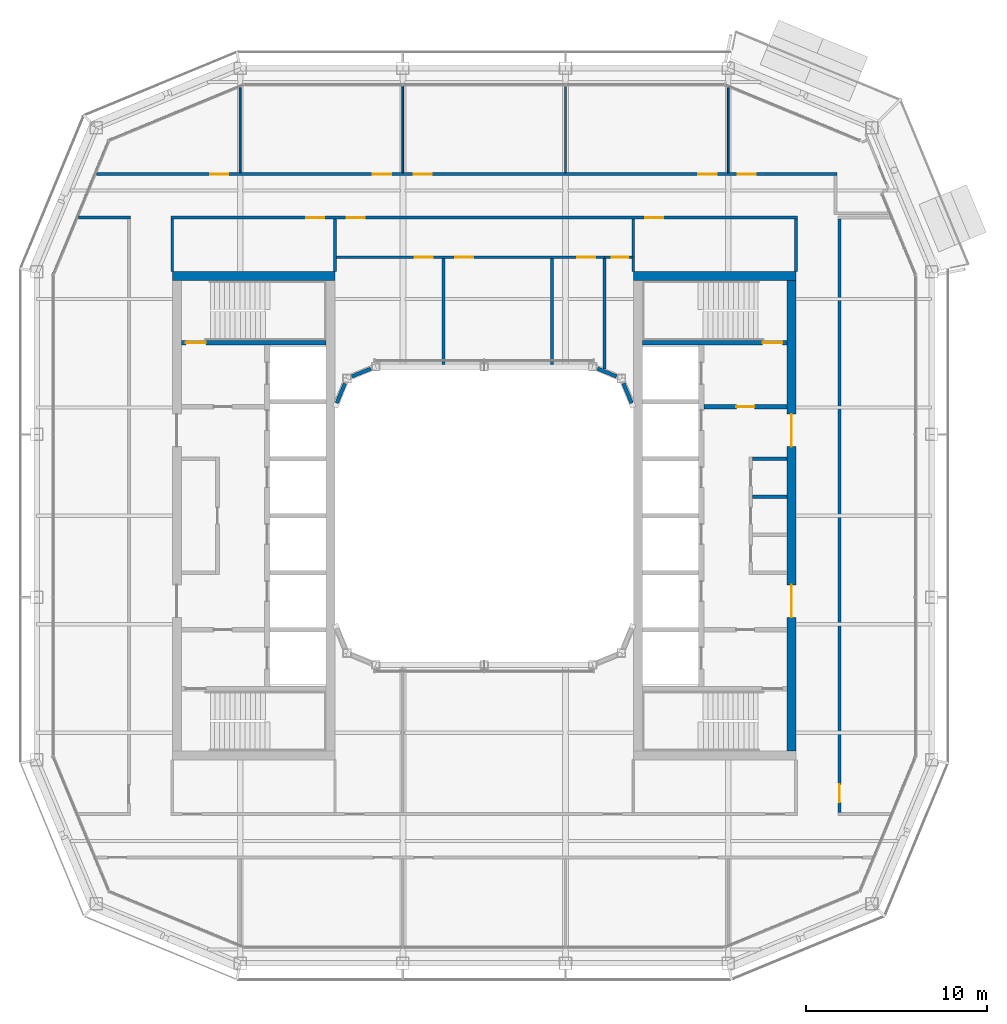
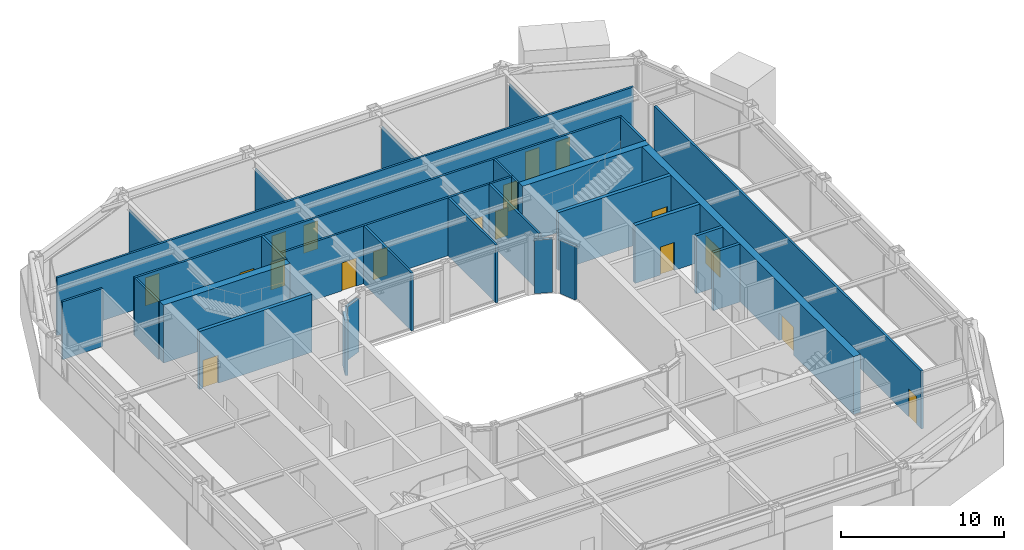
# One storey, part 13 of 21: 30 walls, 18 doors, 18 openings.
"""IFC4 building model written with IfcOpenShell, lengths in metres."""

from ifc_helpers import new_model, si_unit, direction, frame, frame_2d, origin, place, context, subcontext, project, spatial, rectangle, extrude, material, layer, layer_set, type_object, element, fill, save


model = new_model("IFC4")

# Units and contexts
model_context = context("Model", 3, precision=1e-05, world=origin(), true_north=direction((0.0, 1.0)))
body_context = subcontext(model_context, "Body", "Model", "MODEL_VIEW")
ifc_project = project(units=[si_unit("LENGTHUNIT", "METRE"), si_unit("AREAUNIT", "SQUARE_METRE"), si_unit("VOLUMEUNIT", "CUBIC_METRE"), si_unit("PLANEANGLEUNIT", "RADIAN"), si_unit("MASSUNIT", "GRAM", prefix="KILO")], contexts=[model_context])

# Site, building, storey
site_placement = place(None, origin())
site = spatial("IfcSite", under=ifc_project, at=site_placement, CompositionType="ELEMENT")
building_placement = place(site_placement, origin())
building = spatial("IfcBuilding", under=site, at=building_placement, Name="Siwar Civic Tower", CompositionType="ELEMENT")
storey_placement = place(building_placement, frame((0.0, 0.0, 325.699951171875)))
storey = spatial("IfcBuildingStorey", under=building, at=storey_placement, Name="L70", CompositionType="ELEMENT", Elevation=325.699951171875)

# Wall, opening, door
ifc_material_1 = material(Name="Gypsum board on steel studs", Category="steel")
ifc_layer_1 = layer(ifc_material_1, 0.14990234375)
ifc_layer_set_1 = layer_set([ifc_layer_1], Name="Gypsum board on steel studs")
wall_type_1 = type_object("IfcWallType", Name="COMPARTMENT PARTITION 150 EI 60", PredefinedType="PARTITIONING", material=ifc_layer_set_1)
wall_1_placement = place(storey_placement, frame((6.659912109375, 14.300048828125, 0.0), z_axis=(0.0, 0.0, 1.0), x_axis=(1.0, 0.0, 0.0)))
wall_1 = element("IfcWall", 1, at=wall_1_placement, inside=storey, type_object=wall_type_1, Name="L70/wall/P06", PredefinedType="PARTITIONING", context=body_context, shape_type="SweptSolid", body=[
    extrude(rectangle(XDim=1.51513671875, YDim=0.14990234375, at=frame_2d((0.757568359375, 0.0))), origin(), (0.0, 0.0, 1.0), 4.35009765625),
])
opening_1_placement = place(wall_1_placement, frame((0.39990234375, 0.0, 0.0)))
opening_1 = element("IfcOpeningElement", 2, at=opening_1_placement, cuts=wall_1, Name="Opening D4", PredefinedType="OPENING", context=body_context, shape_type="SweptSolid", body=[
    extrude(rectangle(XDim=0.89990234375, YDim=2.10009765625, at=frame_2d((0.449951171875, 1.050048828125))), frame((0.0, 0.0849609375, 0.0), z_axis=(0.0, -1.0, 0.0), x_axis=(1.0, 0.0, 0.0)), (0.0, 0.0, 1.0), 0.169921875),
])
ifc_material_2 = material(Name="Timber, painted", Category="wood")
door_type_1 = type_object("IfcDoorType", Name="DOOR 900 X 2100 FD60", OperationType="SINGLE_SWING_LEFT", PredefinedType="DOOR", material=ifc_material_2)
door_1_placement = place(opening_1_placement, origin())
door_1 = element("IfcDoor", 3, at=door_1_placement, inside=storey, type_object=door_type_1, Name="L70-D15", OperationType="SINGLE_SWING_LEFT", OverallHeight=2.10009765625, OverallWidth=0.89990234375, PredefinedType="DOOR", context=body_context, shape_type="SweptSolid", body=[
    extrude(rectangle(XDim=0.89990234375, YDim=2.10009765625, at=frame_2d((0.449951171875, 1.050048828125))), frame((0.0, 0.02490234375, 0.0), z_axis=(0.0, -1.0, 0.0), x_axis=(1.0, 0.0, 0.0)), (0.0, 0.0, 1.0), 0.050048828125),
])
fill(opening_1, door_1)

# Walls
wall_2_placement = place(storey_placement, frame((6.659912109375, 8.126953125, 0.0), z_axis=(0.0, 0.0, 1.0), x_axis=(0.0, 1.0, 0.0)))
element("IfcWall", 4, at=wall_2_placement, inside=storey, type_object=wall_type_1, Name="L70/wall/P26", PredefinedType="PARTITIONING", context=body_context, shape_type="SweptSolid", body=[
    extrude(rectangle(XDim=6.09814453125, YDim=0.14990234375, at=frame_2d((3.049072265625, 0.0))), origin(), (0.0, 0.0, 1.0), 4.35009765625),
])
wall_3_placement = place(storey_placement, frame((8.25, 13.5, 0.0), z_axis=(0.0, 0.0, 1.0), x_axis=(0.0, 1.0, 0.0)))
element("IfcWall", 5, at=wall_3_placement, inside=storey, type_object=wall_type_1, Name="L70/wall/P29", PredefinedType="PARTITIONING", context=body_context, shape_type="SweptSolid", body=[
    extrude(rectangle(XDim=0.800048828125, YDim=0.14990234375, at=frame_2d((0.39990234375, 0.0))), origin(), (0.0, 0.0, 1.0), 4.35009765625),
])
ifc_material_3 = material(Name="Gypsum board on steel studs", Category="steel")
ifc_layer_2 = layer(ifc_material_3, 0.199951171875)
ifc_layer_set_2 = layer_set([ifc_layer_2], Name="Gypsum board on steel studs")
wall_type_2 = type_object("IfcWallType", Name="CORE-PARTITION-200", PredefinedType="PARTITIONING", material=ifc_layer_set_2)
for number, where, z_axis, x_axis, name in (
    (6, (14.85009765625, 3.14990234375, 0.0), (0.0, 0.0, 1.0), (1.0, 0.0, 0.0), "Core partition E"),
    (7, (14.85009765625, 1.050048828125, 0.0), (0.0, 0.0, 1.0), (1.0, 0.0, 0.0), "Core partition E"),
):
    element("IfcWall", number, at=place(storey_placement, frame(where, z_axis=z_axis, x_axis=x_axis)), inside=storey, type_object=wall_type_2, Name=name, PredefinedType="PARTITIONING", context=body_context, shape_type="SweptSolid", body=[
        extrude(rectangle(XDim=1.89990234375, YDim=0.199951171875, at=frame_2d((0.949951171875, 0.0))), origin(), (0.0, 0.0, 1.0), 4.35009765625),
    ])

# Wall, opening, door
ifc_material_4 = material(Name="Concrete C60/75", Category="concrete")
ifc_layer_3 = layer(ifc_material_4, 0.25)
ifc_layer_set_3 = layer_set([ifc_layer_3], Name="Concrete C60/75")
wall_type_3 = type_object("IfcWallType", Name="CORE-WALL-RC250", PredefinedType="SHEAR", material=ifc_layer_set_3)
wall_4_placement = place(storey_placement, frame((-8.75, 9.574951171875, 0.0), z_axis=(0.0, 0.0, 1.0), x_axis=(-1.0, 0.0, 0.0)))
wall_4 = element("IfcWall", 8, at=wall_4_placement, inside=storey, type_object=wall_type_3, Name="Core wall W", PredefinedType="SHEAR", context=body_context, shape_type="SweptSolid", body=[
    extrude(rectangle(XDim=8.0, YDim=0.25, at=frame_2d((4.0, 0.0))), origin(), (0.0, 0.0, 1.0), 4.35009765625),
])
opening_2_placement = place(wall_4_placement, frame((6.64990234375, 0.0, 0.0)))
opening_2 = element("IfcOpeningElement", 9, at=opening_2_placement, cuts=wall_4, Name="Opening L70-CW03", PredefinedType="OPENING", context=body_context, shape_type="SweptSolid", body=[
    extrude(rectangle(XDim=1.10009765625, YDim=2.10009765625, at=frame_2d((0.550048828125, 1.050048828125))), frame((0.0, 0.135009765625, 0.0), z_axis=(0.0, -1.0, 0.0), x_axis=(1.0, 0.0, 0.0)), (0.0, 0.0, 1.0), 0.27001953125),
])
ifc_material_5 = material(Name="Steel door leaf", Category="steel")
door_type_2 = type_object("IfcDoorType", Name="CORE-DOOR-FD60S", OperationType="SINGLE_SWING_LEFT", PredefinedType="DOOR", material=ifc_material_5)
door_2_placement = place(opening_2_placement, origin())
door_2 = element("IfcDoor", 10, at=door_2_placement, inside=storey, type_object=door_type_2, Name="Stair door L70-CW03", OperationType="SINGLE_SWING_RIGHT", OverallHeight=2.10009765625, OverallWidth=1.10009765625, PredefinedType="DOOR", context=body_context, shape_type="SweptSolid", body=[
    extrude(rectangle(XDim=1.10009765625, YDim=2.10009765625, at=frame_2d((0.550048828125, 1.050048828125))), frame((0.0, 0.02490234375, 0.0), z_axis=(0.0, -1.0, 0.0), x_axis=(1.0, 0.0, 0.0)), (0.0, 0.0, 1.0), 0.050048828125),
])
fill(opening_2, door_2)

wall_5_placement = place(storey_placement, frame((12.14990234375, 6.02490234375, 0.0), z_axis=(0.0, 0.0, 1.0), x_axis=(1.0, 0.0, 0.0)))
wall_5 = element("IfcWall", 11, at=wall_5_placement, inside=storey, type_object=wall_type_3, Name="Core wall E", PredefinedType="SHEAR", context=body_context, shape_type="SweptSolid", body=[
    extrude(rectangle(XDim=4.60009765625, YDim=0.25, at=frame_2d((2.300048828125, 0.0))), origin(), (0.0, 0.0, 1.0), 4.35009765625),
])
opening_3_placement = place(wall_5_placement, frame((1.800048828125, 0.0, 0.0)))
opening_3 = element("IfcOpeningElement", 12, at=opening_3_placement, cuts=wall_5, Name="Opening L70-CE01", PredefinedType="OPENING", context=body_context, shape_type="SweptSolid", body=[
    extrude(rectangle(XDim=1.0, YDim=2.10009765625, at=frame_2d((0.5, 1.050048828125))), frame((0.0, 0.135009765625, 0.0), z_axis=(0.0, -1.0, 0.0), x_axis=(1.0, 0.0, 0.0)), (0.0, 0.0, 1.0), 0.27001953125),
])
ifc_material_6 = material(Name="Steel door leaf", Category="steel")
door_type_3 = type_object("IfcDoorType", Name="CORE-DOOR-FD30S", OperationType="SINGLE_SWING_LEFT", PredefinedType="DOOR", material=ifc_material_6)
door_3_placement = place(opening_3_placement, origin())
door_3 = element("IfcDoor", 13, at=door_3_placement, inside=storey, type_object=door_type_3, Name="Firefighting lobby door L70-CE01", OperationType="SINGLE_SWING_RIGHT", OverallHeight=2.10009765625, OverallWidth=1.0, PredefinedType="DOOR", context=body_context, shape_type="SweptSolid", body=[
    extrude(rectangle(XDim=1.0, YDim=2.10009765625, at=frame_2d((0.5, 1.050048828125))), frame((0.0, 0.02490234375, 0.0), z_axis=(0.0, -1.0, 0.0), x_axis=(1.0, 0.0, 0.0)), (0.0, 0.0, 1.0), 0.050048828125),
])
fill(opening_3, door_3)

wall_6_placement = place(storey_placement, frame((8.75, 9.574951171875, 0.0), z_axis=(0.0, 0.0, 1.0), x_axis=(1.0, 0.0, 0.0)))
wall_6 = element("IfcWall", 14, at=wall_6_placement, inside=storey, type_object=wall_type_3, Name="Core wall E", PredefinedType="SHEAR", context=body_context, shape_type="SweptSolid", body=[
    extrude(rectangle(XDim=8.0, YDim=0.25, at=frame_2d((4.0, 0.0))), origin(), (0.0, 0.0, 1.0), 4.35009765625),
])
opening_4_placement = place(wall_6_placement, frame((6.64990234375, 0.0, 0.0)))
opening_4 = element("IfcOpeningElement", 15, at=opening_4_placement, cuts=wall_6, Name="Opening L70-CE03", PredefinedType="OPENING", context=body_context, shape_type="SweptSolid", body=[
    extrude(rectangle(XDim=1.10009765625, YDim=2.10009765625, at=frame_2d((0.550048828125, 1.050048828125))), frame((0.0, 0.135009765625, 0.0), z_axis=(0.0, -1.0, 0.0), x_axis=(1.0, 0.0, 0.0)), (0.0, 0.0, 1.0), 0.27001953125),
])
door_4_placement = place(opening_4_placement, origin())
door_4 = element("IfcDoor", 16, at=door_4_placement, inside=storey, type_object=door_type_2, Name="Stair door L70-CE03", OperationType="SINGLE_SWING_LEFT", OverallHeight=2.10009765625, OverallWidth=1.10009765625, PredefinedType="DOOR", context=body_context, shape_type="SweptSolid", body=[
    extrude(rectangle(XDim=1.10009765625, YDim=2.10009765625, at=frame_2d((0.550048828125, 1.050048828125))), frame((0.0, 0.02490234375, 0.0), z_axis=(0.0, -1.0, 0.0), x_axis=(1.0, 0.0, 0.0)), (0.0, 0.0, 1.0), 0.050048828125),
])
fill(opening_4, door_4)

# Wall
ifc_material_7 = material(Name="Concrete C60/75", Category="concrete")
ifc_layer_4 = layer(ifc_material_7, 0.5)
ifc_layer_set_4 = layer_set([ifc_layer_4], Name="Concrete C60/75")
wall_type_4 = type_object("IfcWallType", Name="CORE-WALL-RC500", PredefinedType="SHEAR", material=ifc_layer_set_4)
wall_7_placement = place(storey_placement, frame((-8.25, 13.25, 0.0), z_axis=(0.0, 0.0, 1.0), x_axis=(-1.0, 0.0, 0.0)))
element("IfcWall", 17, at=wall_7_placement, inside=storey, type_object=wall_type_4, Name="Core wall W", PredefinedType="SHEAR", context=body_context, shape_type="SweptSolid", body=[
    extrude(rectangle(XDim=9.0, YDim=0.5, at=frame_2d((4.5, 0.0))), origin(), (0.0, 0.0, 1.0), 4.35009765625),
])

# Wall, openings, doors
wall_8_placement = place(storey_placement, frame((17.0, -13.0, 0.0), z_axis=(0.0, 0.0, 1.0), x_axis=(0.0, 1.0, 0.0)))
wall_8 = element("IfcWall", 18, at=wall_8_placement, inside=storey, type_object=wall_type_4, Name="Core wall E", PredefinedType="SHEAR", context=body_context, shape_type="SweptSolid", body=[
    extrude(rectangle(XDim=26.0, YDim=0.5, at=frame_2d((13.0, 0.0))), origin(), (0.0, 0.0, 1.0), 4.35009765625),
])
opening_5_placement = place(wall_8_placement, frame((16.824951171875, 0.0, 0.0)))
opening_5 = element("IfcOpeningElement", 19, at=opening_5_placement, cuts=wall_8, Name="Opening L70-CE05", PredefinedType="OPENING", context=body_context, shape_type="SweptSolid", body=[
    extrude(rectangle(XDim=1.800048828125, YDim=2.10009765625, at=frame_2d((0.89990234375, 1.050048828125))), frame((0.0, 0.260009765625, 0.0), z_axis=(0.0, -1.0, 0.0), x_axis=(1.0, 0.0, 0.0)), (0.0, 0.0, 1.0), 0.52001953125),
])
opening_6_placement = place(wall_8_placement, frame((7.375, 0.0, 0.0)))
opening_6 = element("IfcOpeningElement", 20, at=opening_6_placement, cuts=wall_8, Name="Opening L70-CE06", PredefinedType="OPENING", context=body_context, shape_type="SweptSolid", body=[
    extrude(rectangle(XDim=1.800048828125, YDim=2.10009765625, at=frame_2d((0.89990234375, 1.050048828125))), frame((0.0, 0.260009765625, 0.0), z_axis=(0.0, -1.0, 0.0), x_axis=(1.0, 0.0, 0.0)), (0.0, 0.0, 1.0), 0.52001953125),
])
ifc_material_8 = material(Name="Steel door leaf", Category="steel")
door_type_4 = type_object("IfcDoorType", Name="CORE-DOOR-PORT", OperationType="DOUBLE_DOOR_DOUBLE_SWING", PredefinedType="DOOR", material=ifc_material_8)
door_5_placement = place(opening_5_placement, origin())
door_5 = element("IfcDoor", 21, at=door_5_placement, inside=storey, type_object=door_type_4, Name="Core entrance door L70-CE05", OperationType="DOUBLE_DOOR_DOUBLE_SWING", OverallHeight=2.10009765625, OverallWidth=1.800048828125, PredefinedType="DOOR", context=body_context, shape_type="SweptSolid", body=[
    extrude(rectangle(XDim=1.800048828125, YDim=2.10009765625, at=frame_2d((0.89990234375, 1.050048828125))), frame((0.0, 0.02490234375, 0.0), z_axis=(0.0, -1.0, 0.0), x_axis=(1.0, 0.0, 0.0)), (0.0, 0.0, 1.0), 0.050048828125),
])
fill(opening_5, door_5)
door_6_placement = place(opening_6_placement, origin())
door_6 = element("IfcDoor", 22, at=door_6_placement, inside=storey, type_object=door_type_4, Name="Core entrance door L70-CE06", OperationType="DOUBLE_DOOR_DOUBLE_SWING", OverallHeight=2.10009765625, OverallWidth=1.800048828125, PredefinedType="DOOR", context=body_context, shape_type="SweptSolid", body=[
    extrude(rectangle(XDim=1.800048828125, YDim=2.10009765625, at=frame_2d((0.89990234375, 1.050048828125))), frame((0.0, 0.02490234375, 0.0), z_axis=(0.0, -1.0, 0.0), x_axis=(1.0, 0.0, 0.0)), (0.0, 0.0, 1.0), 0.050048828125),
])
fill(opening_6, door_6)

# Wall
wall_9_placement = place(storey_placement, frame((8.25, 13.25, 0.0), z_axis=(0.0, 0.0, 1.0), x_axis=(1.0, 0.0, 0.0)))
element("IfcWall", 23, at=wall_9_placement, inside=storey, type_object=wall_type_4, Name="Core wall E", PredefinedType="SHEAR", context=body_context, shape_type="SweptSolid", body=[
    extrude(rectangle(XDim=9.0, YDim=0.5, at=frame_2d((4.5, 0.0))), origin(), (0.0, 0.0, 1.0), 4.35009765625),
])

# Wall, openings, doors
ifc_material_9 = material(Name="Gypsum board on steel studs", Category="steel")
ifc_layer_5 = layer(ifc_material_9, 0.14990234375)
ifc_layer_set_5 = layer_set([ifc_layer_5], Name="Gypsum board on steel studs")
wall_type_5 = type_object("IfcWallType", Name="CORRIDOR PARTITION 150 EI 30", PredefinedType="PARTITIONING", material=ifc_layer_set_5)
wall_10_placement = place(storey_placement, frame((-8.175048828125, 14.300048828125, 0.0), z_axis=(0.0, 0.0, 1.0), x_axis=(1.0, 0.0, 0.0)))
wall_10 = element("IfcWall", 24, at=wall_10_placement, inside=storey, type_object=wall_type_5, Name="L70/wall/P05", PredefinedType="PARTITIONING", context=body_context, shape_type="SweptSolid", body=[
    extrude(rectangle(XDim=14.8349609375, YDim=0.14990234375, at=frame_2d((7.41748046875, 0.0))), origin(), (0.0, 0.0, 1.0), 4.35009765625),
])
opening_7_placement = place(wall_10_placement, frame((4.324951171875, 0.0, 0.0)))
opening_7 = element("IfcOpeningElement", 25, at=opening_7_placement, cuts=wall_10, Name="Opening D3", PredefinedType="OPENING", context=body_context, shape_type="SweptSolid", body=[
    extrude(rectangle(XDim=1.0, YDim=2.10009765625, at=frame_2d((0.5, 1.050048828125))), frame((0.0, 0.0849609375, 0.0), z_axis=(0.0, -1.0, 0.0), x_axis=(1.0, 0.0, 0.0)), (0.0, 0.0, 1.0), 0.169921875),
])
opening_8_placement = place(wall_10_placement, frame((6.574951171875, 0.0, 0.0)))
opening_8 = element("IfcOpeningElement", 26, at=opening_8_placement, cuts=wall_10, Name="Opening D3", PredefinedType="OPENING", context=body_context, shape_type="SweptSolid", body=[
    extrude(rectangle(XDim=1.0, YDim=2.10009765625, at=frame_2d((0.5, 1.050048828125))), frame((0.0, 0.0849609375, 0.0), z_axis=(0.0, -1.0, 0.0), x_axis=(1.0, 0.0, 0.0)), (0.0, 0.0, 1.0), 0.169921875),
])
opening_9_placement = place(wall_10_placement, frame((13.324951171875, 0.0, 0.0)))
opening_9 = element("IfcOpeningElement", 27, at=opening_9_placement, cuts=wall_10, Name="Opening D3", PredefinedType="OPENING", context=body_context, shape_type="SweptSolid", body=[
    extrude(rectangle(XDim=1.0, YDim=2.10009765625, at=frame_2d((0.5, 1.050048828125))), frame((0.0, 0.0849609375, 0.0), z_axis=(0.0, -1.0, 0.0), x_axis=(1.0, 0.0, 0.0)), (0.0, 0.0, 1.0), 0.169921875),
])
ifc_material_10 = material(Name="Timber, painted", Category="wood")
door_type_5 = type_object("IfcDoorType", Name="DOOR 1000 X 2100 WC", OperationType="SINGLE_SWING_LEFT", PredefinedType="DOOR", material=ifc_material_10)
door_7_placement = place(opening_7_placement, origin())
door_7 = element("IfcDoor", 28, at=door_7_placement, inside=storey, type_object=door_type_5, Name="L70-D12", OperationType="SINGLE_SWING_RIGHT", OverallHeight=2.10009765625, OverallWidth=1.0, PredefinedType="DOOR", context=body_context, shape_type="SweptSolid", body=[
    extrude(rectangle(XDim=1.0, YDim=2.10009765625, at=frame_2d((0.5, 1.050048828125))), frame((0.0, 0.02490234375, 0.0), z_axis=(0.0, -1.0, 0.0), x_axis=(1.0, 0.0, 0.0)), (0.0, 0.0, 1.0), 0.050048828125),
])
fill(opening_7, door_7)
door_8_placement = place(opening_8_placement, origin())
door_8 = element("IfcDoor", 29, at=door_8_placement, inside=storey, type_object=door_type_5, Name="L70-D13", OperationType="SINGLE_SWING_LEFT", OverallHeight=2.10009765625, OverallWidth=1.0, PredefinedType="DOOR", context=body_context, shape_type="SweptSolid", body=[
    extrude(rectangle(XDim=1.0, YDim=2.10009765625, at=frame_2d((0.5, 1.050048828125))), frame((0.0, 0.02490234375, 0.0), z_axis=(0.0, -1.0, 0.0), x_axis=(1.0, 0.0, 0.0)), (0.0, 0.0, 1.0), 0.050048828125),
])
fill(opening_8, door_8)
door_9_placement = place(opening_9_placement, origin())
door_9 = element("IfcDoor", 30, at=door_9_placement, inside=storey, type_object=door_type_5, Name="L70-D14", OperationType="SINGLE_SWING_RIGHT", OverallHeight=2.10009765625, OverallWidth=1.0, PredefinedType="DOOR", context=body_context, shape_type="SweptSolid", body=[
    extrude(rectangle(XDim=1.0, YDim=2.10009765625, at=frame_2d((0.5, 1.050048828125))), frame((0.0, 0.02490234375, 0.0), z_axis=(0.0, -1.0, 0.0), x_axis=(1.0, 0.0, 0.0)), (0.0, 0.0, 1.0), 0.050048828125),
])
fill(opening_9, door_9)

# Wall
wall_11_placement = place(storey_placement, frame((-22.43603515625, 16.4951171875, 0.0), z_axis=(0.0, 0.0, 1.0), x_axis=(1.0, 0.0, 0.0)))
element("IfcWall", 31, at=wall_11_placement, inside=storey, type_object=wall_type_5, Name="L70/wall/P07", PredefinedType="PARTITIONING", context=body_context, shape_type="SweptSolid", body=[
    extrude(rectangle(XDim=2.861083984375, YDim=0.14990234375, at=frame_2d((1.4306640625, 0.0))), origin(), (0.0, 0.0, 1.0), 4.35009765625),
])

# Wall, openings, doors
wall_12_placement = place(storey_placement, frame((-17.324951171875, 16.4951171875, 0.0), z_axis=(0.0, 0.0, 1.0), x_axis=(1.0, 0.0, 0.0)))
wall_12 = element("IfcWall", 32, at=wall_12_placement, inside=storey, type_object=wall_type_5, Name="L70/wall/P08", PredefinedType="PARTITIONING", context=body_context, shape_type="SweptSolid", body=[
    extrude(rectangle(XDim=34.64990234375, YDim=0.14990234375, at=frame_2d((17.324951171875, 0.0))), origin(), (0.0, 0.0, 1.0), 4.35009765625),
])
opening_10_placement = place(wall_12_placement, frame((9.72509765625, 0.0, 0.0)))
opening_10 = element("IfcOpeningElement", 33, at=opening_10_placement, cuts=wall_12, Name="Opening D1", PredefinedType="OPENING", context=body_context, shape_type="SweptSolid", body=[
    extrude(rectangle(XDim=1.0, YDim=2.10009765625, at=frame_2d((0.5, 1.050048828125))), frame((0.0, 0.0849609375, 0.0), z_axis=(0.0, -1.0, 0.0), x_axis=(1.0, 0.0, 0.0)), (0.0, 0.0, 1.0), 0.169921875),
])
opening_11_placement = place(wall_12_placement, frame((7.47509765625, 0.0, 0.0)))
opening_11 = element("IfcOpeningElement", 34, at=opening_11_placement, cuts=wall_12, Name="Opening D1", PredefinedType="OPENING", context=body_context, shape_type="SweptSolid", body=[
    extrude(rectangle(XDim=1.0, YDim=2.10009765625, at=frame_2d((0.5, 1.050048828125))), frame((0.0, 0.0849609375, 0.0), z_axis=(0.0, -1.0, 0.0), x_axis=(1.0, 0.0, 0.0)), (0.0, 0.0, 1.0), 0.169921875),
])
opening_12_placement = place(wall_12_placement, frame((26.22509765625, 0.0, 0.0)))
opening_12 = element("IfcOpeningElement", 35, at=opening_12_placement, cuts=wall_12, Name="Opening D1", PredefinedType="OPENING", context=body_context, shape_type="SweptSolid", body=[
    extrude(rectangle(XDim=1.0, YDim=2.10009765625, at=frame_2d((0.5, 1.050048828125))), frame((0.0, 0.0849609375, 0.0), z_axis=(0.0, -1.0, 0.0), x_axis=(1.0, 0.0, 0.0)), (0.0, 0.0, 1.0), 0.169921875),
])
ifc_material_11 = material(Name="Timber, painted", Category="wood")
door_type_6 = type_object("IfcDoorType", Name="DOOR 1000 X 2100 FD30", OperationType="SINGLE_SWING_LEFT", PredefinedType="DOOR", material=ifc_material_11)
door_10_placement = place(opening_10_placement, origin())
door_10 = element("IfcDoor", 36, at=door_10_placement, inside=storey, type_object=door_type_6, Name="L70-D11", OperationType="SINGLE_SWING_LEFT", OverallHeight=2.10009765625, OverallWidth=1.0, PredefinedType="DOOR", context=body_context, shape_type="SweptSolid", body=[
    extrude(rectangle(XDim=1.0, YDim=2.10009765625, at=frame_2d((0.5, 1.050048828125))), frame((0.0, 0.02490234375, 0.0), z_axis=(0.0, -1.0, 0.0), x_axis=(1.0, 0.0, 0.0)), (0.0, 0.0, 1.0), 0.050048828125),
])
fill(opening_10, door_10)
door_11_placement = place(opening_11_placement, origin())
door_11 = element("IfcDoor", 37, at=door_11_placement, inside=storey, type_object=door_type_6, Name="L70-D18", OperationType="SINGLE_SWING_RIGHT", OverallHeight=2.10009765625, OverallWidth=1.0, PredefinedType="DOOR", context=body_context, shape_type="SweptSolid", body=[
    extrude(rectangle(XDim=1.0, YDim=2.10009765625, at=frame_2d((0.5, 1.050048828125))), frame((0.0, 0.02490234375, 0.0), z_axis=(0.0, -1.0, 0.0), x_axis=(1.0, 0.0, 0.0)), (0.0, 0.0, 1.0), 0.050048828125),
])
fill(opening_11, door_11)
door_12_placement = place(opening_12_placement, origin())
door_12 = element("IfcDoor", 38, at=door_12_placement, inside=storey, type_object=door_type_6, Name="L70-D19", OperationType="SINGLE_SWING_LEFT", OverallHeight=2.10009765625, OverallWidth=1.0, PredefinedType="DOOR", context=body_context, shape_type="SweptSolid", body=[
    extrude(rectangle(XDim=1.0, YDim=2.10009765625, at=frame_2d((0.5, 1.050048828125))), frame((0.0, 0.02490234375, 0.0), z_axis=(0.0, -1.0, 0.0), x_axis=(1.0, 0.0, 0.0)), (0.0, 0.0, 1.0), 0.050048828125),
])
fill(opening_12, door_12)

wall_13_placement = place(storey_placement, frame((-21.44091796875, 18.89990234375, 0.0), z_axis=(0.0, 0.0, 1.0), x_axis=(1.0, 0.0, 0.0)))
wall_13 = element("IfcWall", 39, at=wall_13_placement, inside=storey, type_object=wall_type_5, Name="L70/wall/P11", PredefinedType="PARTITIONING", context=body_context, shape_type="SweptSolid", body=[
    extrude(rectangle(XDim=40.94384765625, YDim=0.14990234375, at=frame_2d((20.471923828125, 0.0))), origin(), (0.0, 0.0, 1.0), 4.35009765625),
])
opening_13_placement = place(wall_13_placement, frame((15.291015625, 0.0, 0.0)))
opening_13 = element("IfcOpeningElement", 40, at=opening_13_placement, cuts=wall_13, Name="Opening D1", PredefinedType="OPENING", context=body_context, shape_type="SweptSolid", body=[
    extrude(rectangle(XDim=1.0, YDim=2.10009765625, at=frame_2d((0.5, 1.050048828125))), frame((0.0, 0.0849609375, 0.0), z_axis=(0.0, -1.0, 0.0), x_axis=(1.0, 0.0, 0.0)), (0.0, 0.0, 1.0), 0.169921875),
])
opening_14_placement = place(wall_13_placement, frame((17.541015625, 0.0, 0.0)))
opening_14 = element("IfcOpeningElement", 41, at=opening_14_placement, cuts=wall_13, Name="Opening D1", PredefinedType="OPENING", context=body_context, shape_type="SweptSolid", body=[
    extrude(rectangle(XDim=1.0, YDim=2.10009765625, at=frame_2d((0.5, 1.050048828125))), frame((0.0, 0.0849609375, 0.0), z_axis=(0.0, -1.0, 0.0), x_axis=(1.0, 0.0, 0.0)), (0.0, 0.0, 1.0), 0.169921875),
])
opening_15_placement = place(wall_13_placement, frame((33.291015625, 0.0, 0.0)))
opening_15 = element("IfcOpeningElement", 42, at=opening_15_placement, cuts=wall_13, Name="Opening D1", PredefinedType="OPENING", context=body_context, shape_type="SweptSolid", body=[
    extrude(rectangle(XDim=1.0, YDim=2.10009765625, at=frame_2d((0.5, 1.050048828125))), frame((0.0, 0.0849609375, 0.0), z_axis=(0.0, -1.0, 0.0), x_axis=(1.0, 0.0, 0.0)), (0.0, 0.0, 1.0), 0.169921875),
])
opening_16_placement = place(wall_13_placement, frame((6.291015625, 0.0, 0.0)))
opening_16 = element("IfcOpeningElement", 43, at=opening_16_placement, cuts=wall_13, Name="Opening D1", PredefinedType="OPENING", context=body_context, shape_type="SweptSolid", body=[
    extrude(rectangle(XDim=1.0, YDim=2.10009765625, at=frame_2d((0.5, 1.050048828125))), frame((0.0, 0.0849609375, 0.0), z_axis=(0.0, -1.0, 0.0), x_axis=(1.0, 0.0, 0.0)), (0.0, 0.0, 1.0), 0.169921875),
])
opening_17_placement = place(wall_13_placement, frame((35.468994140625, 0.0, 0.0)))
opening_17 = element("IfcOpeningElement", 44, at=opening_17_placement, cuts=wall_13, Name="Opening D1", PredefinedType="OPENING", context=body_context, shape_type="SweptSolid", body=[
    extrude(rectangle(XDim=1.0, YDim=2.10009765625, at=frame_2d((0.5, 1.050048828125))), frame((0.0, 0.0849609375, 0.0), z_axis=(0.0, -1.0, 0.0), x_axis=(1.0, 0.0, 0.0)), (0.0, 0.0, 1.0), 0.169921875),
])
door_13_placement = place(opening_13_placement, origin())
door_13 = element("IfcDoor", 45, at=door_13_placement, inside=storey, type_object=door_type_6, Name="L70-D01", OperationType="SINGLE_SWING_LEFT", OverallHeight=2.10009765625, OverallWidth=1.0, PredefinedType="DOOR", context=body_context, shape_type="SweptSolid", body=[
    extrude(rectangle(XDim=1.0, YDim=2.10009765625, at=frame_2d((0.5, 1.050048828125))), frame((0.0, 0.02490234375, 0.0), z_axis=(0.0, -1.0, 0.0), x_axis=(1.0, 0.0, 0.0)), (0.0, 0.0, 1.0), 0.050048828125),
])
fill(opening_13, door_13)
door_14_placement = place(opening_14_placement, origin())
door_14 = element("IfcDoor", 46, at=door_14_placement, inside=storey, type_object=door_type_6, Name="L70-D02", OperationType="SINGLE_SWING_RIGHT", OverallHeight=2.10009765625, OverallWidth=1.0, PredefinedType="DOOR", context=body_context, shape_type="SweptSolid", body=[
    extrude(rectangle(XDim=1.0, YDim=2.10009765625, at=frame_2d((0.5, 1.050048828125))), frame((0.0, 0.02490234375, 0.0), z_axis=(0.0, -1.0, 0.0), x_axis=(1.0, 0.0, 0.0)), (0.0, 0.0, 1.0), 0.050048828125),
])
fill(opening_14, door_14)
door_15_placement = place(opening_15_placement, origin())
door_15 = element("IfcDoor", 47, at=door_15_placement, inside=storey, type_object=door_type_6, Name="L70-D03", OperationType="SINGLE_SWING_LEFT", OverallHeight=2.10009765625, OverallWidth=1.0, PredefinedType="DOOR", context=body_context, shape_type="SweptSolid", body=[
    extrude(rectangle(XDim=1.0, YDim=2.10009765625, at=frame_2d((0.5, 1.050048828125))), frame((0.0, 0.02490234375, 0.0), z_axis=(0.0, -1.0, 0.0), x_axis=(1.0, 0.0, 0.0)), (0.0, 0.0, 1.0), 0.050048828125),
])
fill(opening_15, door_15)
door_16_placement = place(opening_16_placement, origin())
door_16 = element("IfcDoor", 48, at=door_16_placement, inside=storey, type_object=door_type_6, Name="L70-D07", OperationType="SINGLE_SWING_LEFT", OverallHeight=2.10009765625, OverallWidth=1.0, PredefinedType="DOOR", context=body_context, shape_type="SweptSolid", body=[
    extrude(rectangle(XDim=1.0, YDim=2.10009765625, at=frame_2d((0.5, 1.050048828125))), frame((0.0, 0.02490234375, 0.0), z_axis=(0.0, -1.0, 0.0), x_axis=(1.0, 0.0, 0.0)), (0.0, 0.0, 1.0), 0.050048828125),
])
fill(opening_16, door_16)
door_17_placement = place(opening_17_placement, origin())
door_17 = element("IfcDoor", 49, at=door_17_placement, inside=storey, type_object=door_type_6, Name="L70-D08", OperationType="SINGLE_SWING_RIGHT", OverallHeight=2.10009765625, OverallWidth=1.0, PredefinedType="DOOR", context=body_context, shape_type="SweptSolid", body=[
    extrude(rectangle(XDim=1.0, YDim=2.10009765625, at=frame_2d((0.5, 1.050048828125))), frame((0.0, 0.02490234375, 0.0), z_axis=(0.0, -1.0, 0.0), x_axis=(1.0, 0.0, 0.0)), (0.0, 0.0, 1.0), 0.050048828125),
])
fill(opening_17, door_17)

# Walls
for number, where, z_axis, x_axis, name in (
    (50, (-17.25, 13.5, 0.0), (0.0, 0.0, 1.0), (0.0, 1.0, 0.0), "L70/wall/P14"),
    (51, (-8.25, 13.5, 0.0), (0.0, 0.0, 1.0), (0.0, 1.0, 0.0), "L70/wall/P18"),
):
    element("IfcWall", number, at=place(storey_placement, frame(where, z_axis=z_axis, x_axis=x_axis)), inside=storey, type_object=wall_type_5, Name=name, PredefinedType="PARTITIONING", context=body_context, shape_type="SweptSolid", body=[
        extrude(rectangle(XDim=2.919921875, YDim=0.14990234375, at=frame_2d((1.4599609375, 0.0))), origin(), (0.0, 0.0, 1.0), 4.35009765625),
    ])
for number, where, z_axis, x_axis, name in (
    (52, (-2.25, 8.3701171875, 0.0), (0.0, 0.0, 1.0), (0.0, 1.0, 0.0), "L70/wall/P22"),
    (53, (3.75, 8.3701171875, 0.0), (0.0, 0.0, 1.0), (0.0, 1.0, 0.0), "L70/wall/P23"),
):
    element("IfcWall", number, at=place(storey_placement, frame(where, z_axis=z_axis, x_axis=x_axis)), inside=storey, type_object=wall_type_5, Name=name, PredefinedType="PARTITIONING", context=body_context, shape_type="SweptSolid", body=[
        extrude(rectangle(XDim=5.85498046875, YDim=0.14990234375, at=frame_2d((2.927490234375, 0.0))), origin(), (0.0, 0.0, 1.0), 4.35009765625),
    ])
wall_14_placement = place(storey_placement, frame((8.25, 14.300048828125, 0.0), z_axis=(0.0, 0.0, 1.0), x_axis=(0.0, 1.0, 0.0)))
element("IfcWall", 54, at=wall_14_placement, inside=storey, type_object=wall_type_5, Name="L70/wall/P28", PredefinedType="PARTITIONING", context=body_context, shape_type="SweptSolid", body=[
    extrude(rectangle(XDim=2.119873046875, YDim=0.14990234375, at=frame_2d((1.06005859375, 0.0))), origin(), (0.0, 0.0, 1.0), 4.35009765625),
])
wall_15_placement = place(storey_placement, frame((17.25, 13.5, 0.0), z_axis=(0.0, 0.0, 1.0), x_axis=(0.0, 1.0, 0.0)))
element("IfcWall", 55, at=wall_15_placement, inside=storey, type_object=wall_type_5, Name="L70/wall/P33", PredefinedType="PARTITIONING", context=body_context, shape_type="SweptSolid", body=[
    extrude(rectangle(XDim=2.919921875, YDim=0.14990234375, at=frame_2d((1.4599609375, 0.0))), origin(), (0.0, 0.0, 1.0), 4.35009765625),
])

# Wall, opening, door
wall_16_placement = place(storey_placement, frame((19.656005859375, -16.425048828125, 0.0), z_axis=(0.0, 0.0, 1.0), x_axis=(0.0, 1.0, 0.0)))
wall_16 = element("IfcWall", 56, at=wall_16_placement, inside=storey, type_object=wall_type_5, Name="L70/wall/P35", PredefinedType="PARTITIONING", context=body_context, shape_type="SweptSolid", body=[
    extrude(rectangle(XDim=32.844970703125, YDim=0.14990234375, at=frame_2d((16.42236328125, 0.0))), origin(), (0.0, 0.0, 1.0), 4.35009765625),
])
opening_18_placement = place(wall_16_placement, frame((0.574951171875, 0.0, 0.0)))
opening_18 = element("IfcOpeningElement", 57, at=opening_18_placement, cuts=wall_16, Name="Opening D1", PredefinedType="OPENING", context=body_context, shape_type="SweptSolid", body=[
    extrude(rectangle(XDim=1.0, YDim=2.10009765625, at=frame_2d((0.5, 1.050048828125))), frame((0.0, 0.0849609375, 0.0), z_axis=(0.0, -1.0, 0.0), x_axis=(1.0, 0.0, 0.0)), (0.0, 0.0, 1.0), 0.169921875),
])
door_18_placement = place(opening_18_placement, origin())
door_18 = element("IfcDoor", 58, at=door_18_placement, inside=storey, type_object=door_type_6, Name="L70-D23", OperationType="SINGLE_SWING_LEFT", OverallHeight=2.10009765625, OverallWidth=1.0, PredefinedType="DOOR", context=body_context, shape_type="SweptSolid", body=[
    extrude(rectangle(XDim=1.0, YDim=2.10009765625, at=frame_2d((0.5, 1.050048828125))), frame((0.0, 0.02490234375, 0.0), z_axis=(0.0, -1.0, 0.0), x_axis=(1.0, 0.0, 0.0)), (0.0, 0.0, 1.0), 0.050048828125),
])
fill(opening_18, door_18)

# Walls
ifc_material_12 = material(Name="Aluminium clad insulated panel", Category="aluminium")
ifc_layer_6 = layer(ifc_material_12, 0.199951171875)
ifc_layer_set_6 = layer_set([ifc_layer_6], Name="Aluminium clad insulated panel")
wall_type_6 = type_object("IfcWallType", Name="ENV-WALL-WELL", PredefinedType="STANDARD", material=ifc_layer_set_6)
wall_17_placement = place(storey_placement, frame((8.154296875, 6.23095703125, 0.0), z_axis=(0.0, 0.0, 1.0), x_axis=(-0.382760542083, 0.92384758885, 0.0)))
element("IfcWall", 59, at=wall_17_placement, inside=storey, type_object=wall_type_6, Name="Light well corner wall NE1", PredefinedType="STANDARD", context=body_context, shape_type="SweptSolid", body=[
    extrude(rectangle(XDim=1.177978515625, YDim=0.199951171875, at=frame_2d((0.5888671875, 0.0))), origin(), (0.0, 0.0, 1.0), 4.010009765625),
])
for number, where, z_axis, x_axis, name in (
    (60, (7.3193359375, 7.703369140625, 0.0), (0.0, 0.0, 1.0), (-0.923864661962, 0.382719331074, 0.0), "Light well corner wall NE2"),
    (61, (-6.271484375, 8.137451171875, 0.0), (0.0, 0.0, 1.0), (-0.923864661962, -0.382719331074, 0.0), "Light well corner wall NW1"),
):
    element("IfcWall", number, at=place(storey_placement, frame(where, z_axis=z_axis, x_axis=x_axis)), inside=storey, type_object=wall_type_6, Name=name, PredefinedType="STANDARD", context=body_context, shape_type="SweptSolid", body=[
        extrude(rectangle(XDim=1.13427734375, YDim=0.199951171875, at=frame_2d((0.567138671875, 0.0))), origin(), (0.0, 0.0, 1.0), 4.010009765625),
    ])
wall_18_placement = place(storey_placement, frame((-7.703369140625, 7.3193359375, 0.0), z_axis=(0.0, 0.0, 1.0), x_axis=(-0.382760542083, -0.92384758885, 0.0)))
element("IfcWall", 62, at=wall_18_placement, inside=storey, type_object=wall_type_6, Name="Light well corner wall NW2", PredefinedType="STANDARD", context=body_context, shape_type="SweptSolid", body=[
    extrude(rectangle(XDim=1.177978515625, YDim=0.199951171875, at=frame_2d((0.5888671875, 0.0))), origin(), (0.0, 0.0, 1.0), 4.010009765625),
])
ifc_material_13 = material(Name="Gypsum board on steel studs", Category="steel")
ifc_layer_7 = layer(ifc_material_13, 0.10009765625)
ifc_layer_set_7 = layer_set([ifc_layer_7], Name="Gypsum board on steel studs")
wall_type_7 = type_object("IfcWallType", Name="PARTITION 100 GYPSUM", PredefinedType="PARTITIONING", material=ifc_layer_set_7)
wall_19_placement = place(storey_placement, frame((-13.5, 18.97509765625, 0.0), z_axis=(0.0, 0.0, 1.0), x_axis=(0.0, 1.0, 0.0)))
element("IfcWall", 63, at=wall_19_placement, inside=storey, type_object=wall_type_7, Name="L70/wall/P16", PredefinedType="PARTITIONING", context=body_context, shape_type="SweptSolid", body=[
    extrude(rectangle(XDim=4.702880859375, YDim=0.10009765625, at=frame_2d((2.3515625, 0.0))), origin(), (0.0, 0.0, 1.0), 3.75),
])
for number, where, z_axis, x_axis, name in (
    (64, (-4.5, 18.97509765625, 0.0), (0.0, 0.0, 1.0), (0.0, 1.0, 0.0), "L70/wall/P21"),
    (65, (4.5, 18.97509765625, 0.0), (0.0, 0.0, 1.0), (0.0, 1.0, 0.0), "L70/wall/P25"),
):
    element("IfcWall", number, at=place(storey_placement, frame(where, z_axis=z_axis, x_axis=x_axis)), inside=storey, type_object=wall_type_7, Name=name, PredefinedType="PARTITIONING", context=body_context, shape_type="SweptSolid", body=[
        extrude(rectangle(XDim=4.784912109375, YDim=0.10009765625, at=frame_2d((2.392578125, 0.0))), origin(), (0.0, 0.0, 1.0), 3.650146484375),
    ])
wall_20_placement = place(storey_placement, frame((13.5, 18.97509765625, 0.0), z_axis=(0.0, 0.0, 1.0), x_axis=(0.0, 1.0, 0.0)))
element("IfcWall", 66, at=wall_20_placement, inside=storey, type_object=wall_type_7, Name="L70/wall/P31", PredefinedType="PARTITIONING", context=body_context, shape_type="SweptSolid", body=[
    extrude(rectangle(XDim=4.702880859375, YDim=0.10009765625, at=frame_2d((2.3515625, 0.0))), origin(), (0.0, 0.0, 1.0), 3.75),
])

save(model, "model.ifc")
